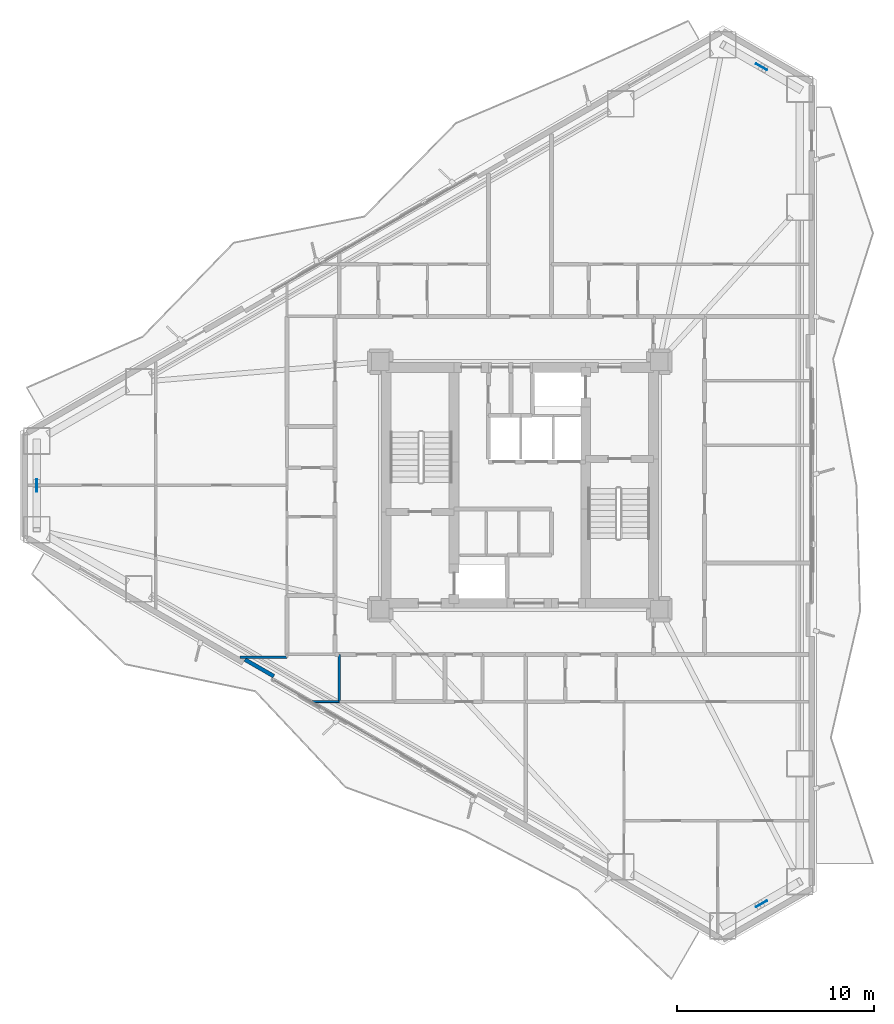
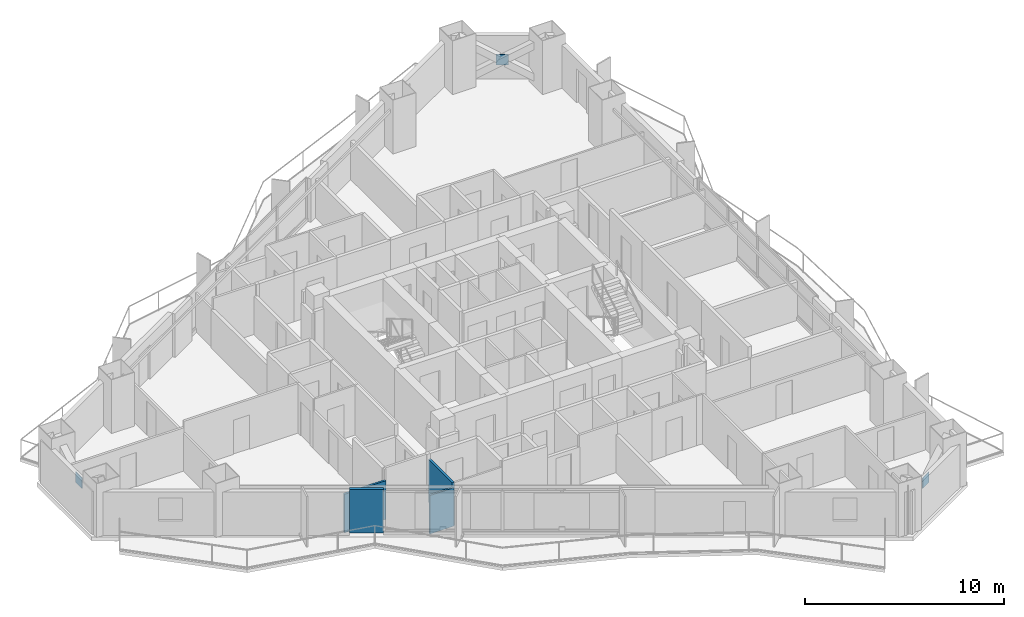
# One storey, part 11 of 19: 4 walls, 3 plates.
"""IFC4 building model written with IfcOpenShell, lengths in metres."""

from ifc_helpers import new_model, si_unit, direction, frame, frame_2d, origin, origin_2d, place, context, subcontext, project, spatial, rectangle, extrude, material, layer, layer_set, type_object, element, save


model = new_model("IFC4")

# Units and contexts
model_context = context("Model", 3, precision=1e-05, world=origin(), true_north=direction((0.0, 1.0)))
body_context = subcontext(model_context, "Body", "Model", "MODEL_VIEW")
ifc_project = project(units=[si_unit("LENGTHUNIT", "METRE"), si_unit("AREAUNIT", "SQUARE_METRE"), si_unit("VOLUMEUNIT", "CUBIC_METRE"), si_unit("PLANEANGLEUNIT", "RADIAN"), si_unit("MASSUNIT", "GRAM", prefix="KILO")], contexts=[model_context])

# Site, building, storey
site_placement = place(None, origin())
site = spatial("IfcSite", under=ifc_project, at=site_placement, CompositionType="ELEMENT")
building_placement = place(site_placement, origin())
building = spatial("IfcBuilding", under=site, at=building_placement, Name="Mersakhor Tower and Convention Hall", CompositionType="ELEMENT")
storey_placement = place(building_placement, frame((0.0, 0.0, 45.60009765625)))
storey = spatial("IfcBuildingStorey", under=building, at=storey_placement, Name="L12", CompositionType="ELEMENT", Elevation=45.60009765625)

# Plates
ifc_material_1 = material(Name="Steel S460", Category="steel")
ifc_layer_1 = layer(ifc_material_1, 0.0400390625)
ifc_layer_set_1 = layer_set([ifc_layer_1], Name="Steel S460")
plate_type = type_object("IfcPlateType", Name="PL-GUSSET-40", PredefinedType="SHEET", material=ifc_layer_set_1)
for number, where, z_axis, x_axis, name in (
    (1, (41.29345703125, 48.04296875, 1.2001953125), (0.0, 0.0, 1.0), (-0.866025403784, 0.5, 0.0), "L12 X-Brace Crossing Gusset Node Plate"),
    (2, (41.29345703125, 5.45703125, 1.2001953125), (0.0, 0.0, 1.0), (0.866025403784, 0.5, 0.0), "L12 X-Brace Crossing Gusset Node Plate"),
    (3, (4.4130859375, 26.75, 1.2001953125), (0.0, 0.0, 1.0), (0.0, -1.0, 0.0), "L12 X-Brace Crossing Gusset Node Plate"),
):
    element("IfcPlate", number, at=place(storey_placement, frame(where, z_axis=z_axis, x_axis=x_axis)), inside=storey, type_object=plate_type, Name=name, PredefinedType="SHEET", context=body_context, shape_type="SweptSolid", body=[
        extrude(rectangle(XDim=0.639892578125, YDim=0.0400390625, at=origin_2d()), origin(), (0.0, 0.0, 1.0), 0.639892578125),
    ])

# Walls
ifc_material_2 = material(Name="Precast concrete C40/50", Category="concrete")
ifc_layer_2 = layer(ifc_material_2, 0.199951171875)
ifc_layer_set_2 = layer_set([ifc_layer_2], Name="Precast concrete C40/50")
wall_type_1 = type_object("IfcWallType", Name="WL-PAR-200", PredefinedType="PARAPET", material=ifc_layer_set_2)
wall_1_placement = place(storey_placement, frame((16.48046875, 17.038818359375, 0.0), z_axis=(0.0, 0.0, 1.0), x_axis=(-0.86605165483, 0.499954529098, 0.0)))
element("IfcWall", 4, at=wall_1_placement, inside=storey, type_object=wall_type_1, Name="L12 Column Pier Cladding Wall F3-C2", PredefinedType="PARAPET", context=body_context, shape_type="SweptSolid", body=[
    extrude(rectangle(XDim=1.699951171875, YDim=0.199951171875, at=frame_2d((0.85009765625, 0.0))), origin(), (0.0, 0.0, 1.0), 2.659912109375),
])
ifc_material_3 = material(Name="Lightweight gypsum partition", Category="other")
ifc_layer_3 = layer(ifc_material_3, 0.10009765625)
ifc_layer_set_3 = layer_set([ifc_layer_3], Name="Lightweight gypsum partition")
wall_type_2 = type_object("IfcWallType", Name="WL-PRT-100", PredefinedType="PARTITIONING", material=ifc_layer_set_3)
wall_2_placement = place(storey_placement, frame((18.41796875, 15.75, 0.0), z_axis=(0.0, 0.0, 1.0), x_axis=(1.0, 0.0, 0.0)))
element("IfcWall", 5, at=wall_2_placement, inside=storey, type_object=wall_type_2, Name="L12 Interior Partition Wall P-114", PredefinedType="PARTITIONING", context=body_context, shape_type="SweptSolid", body=[
    extrude(rectangle(XDim=1.382080078125, YDim=0.10009765625, at=frame_2d((0.69091796875, 0.0))), origin(), (0.0, 0.0, 1.0), 2.364990234375),
])
ifc_material_4 = material(Name="Gypsum board acoustic partition", Category="other")
ifc_layer_4 = layer(ifc_material_4, 0.125)
ifc_layer_set_4 = layer_set([ifc_layer_4], Name="Gypsum board acoustic partition")
wall_type_3 = type_object("IfcWallType", Name="WL-PRT-125", PredefinedType="PARTITIONING", material=ifc_layer_set_4)
wall_3_placement = place(storey_placement, frame((19.800048828125, 15.75, 0.0), z_axis=(0.0, 0.0, 1.0), x_axis=(0.0, 1.0, 0.0)))
element("IfcWall", 6, at=wall_3_placement, inside=storey, type_object=wall_type_3, Name="L12 Interior Partition Wall P-113", PredefinedType="PARTITIONING", context=body_context, shape_type="SweptSolid", body=[
    extrude(rectangle(XDim=2.39990234375, YDim=0.125, at=frame_2d((1.199951171875, 0.0))), origin(), (0.0, 0.0, 1.0), 2.650390625),
])
wall_4_placement = place(storey_placement, frame((17.14990234375, 18.0, 0.0), z_axis=(0.0, 0.0, 1.0), x_axis=(-1.0, 0.0, 0.0)))
element("IfcWall", 7, at=wall_4_placement, inside=storey, type_object=wall_type_3, Name="L12 Interior Partition Wall P-131", PredefinedType="PARTITIONING", context=body_context, shape_type="SweptSolid", body=[
    extrude(rectangle(XDim=2.40087890625, YDim=0.125, at=frame_2d((1.200439453125, 0.0))), origin(), (0.0, 0.0, 1.0), 2.364990234375),
])

save(model, "model.ifc")
